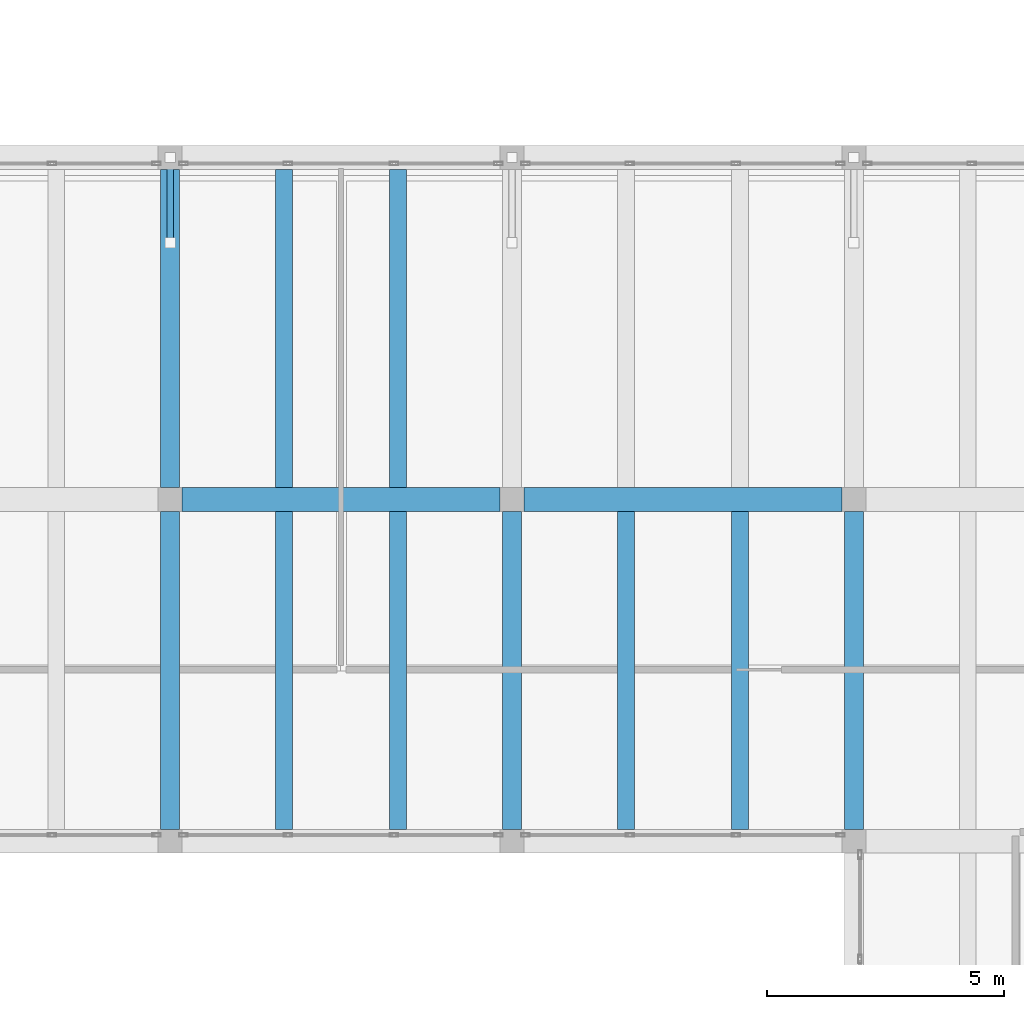
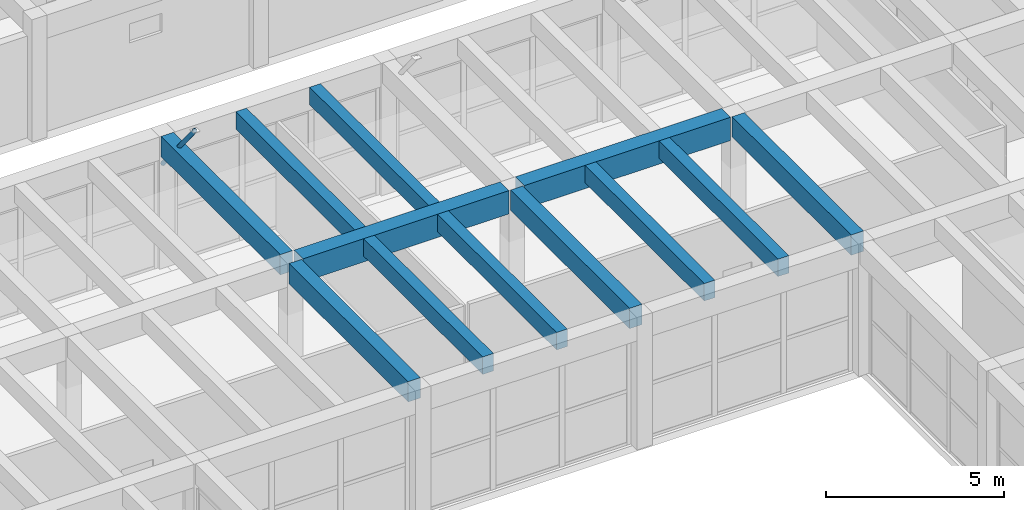
# One storey, part 93 of 153: 12 beams, 1 member.
"""IFC4 building model written with IfcOpenShell, lengths in metres."""

from ifc_helpers import new_model, si_unit, direction, frame, origin, origin_2d, place, context, subcontext, project, spatial, rectangle, hollow_circle, extrude, material, material_profile, profile_set, type_object, element, save


model = new_model("IFC4")

# Units and contexts
model_context = context("Model", 3, precision=1e-05, world=origin(), true_north=direction((0.0, 1.0)))
body_context = subcontext(model_context, "Body", "Model", "MODEL_VIEW")
ifc_project = project(units=[si_unit("LENGTHUNIT", "METRE"), si_unit("AREAUNIT", "SQUARE_METRE"), si_unit("VOLUMEUNIT", "CUBIC_METRE"), si_unit("PLANEANGLEUNIT", "RADIAN"), si_unit("MASSUNIT", "GRAM", prefix="KILO")], contexts=[model_context])

# Site, building, storey
site_placement = place(None, origin())
site = spatial("IfcSite", under=ifc_project, at=site_placement, CompositionType="ELEMENT")
building_placement = place(site_placement, origin())
building = spatial("IfcBuilding", under=site, at=building_placement, Name="Bramvelor Terrace Health Centre", CompositionType="ELEMENT")
storey_placement = place(building_placement, frame((0.0, 0.0, 4.800048828125)))
storey = spatial("IfcBuildingStorey", under=building, at=storey_placement, Name="L02", CompositionType="ELEMENT", Elevation=4.800048828125)

# Beams
ifc_material_1 = material(Name="Concrete C40/50", Category="concrete")
ifc_material_profile_1 = material_profile(ifc_material_1, rectangle(XDim=0.39990234375, YDim=0.699951171875, at=origin_2d()), Name="RC 400x700")
ifc_profile_set_1 = profile_set([ifc_material_profile_1], Name="Concrete C40/50")
beam_type_1 = type_object("IfcBeamType", Name="BM-RC-G700", PredefinedType="BEAM", material=ifc_profile_set_1)
for number, where, z_axis, x_axis, name in (
    (1, (64.800048828125, 65.050048828125, 4.199951171875), (0.0, 1.0, 0.0), (-1.0, 0.0, 0.0), "L02 Floor Girder"),
    (2, (64.800048828125, 72.25, 4.199951171875), (0.0, 1.0, 0.0), (-1.0, 0.0, 0.0), "L02 Floor Girder"),
    (3, (72.0, 65.050048828125, 4.199951171875), (0.0, 1.0, 0.0), (-1.0, 0.0, 0.0), "L02 Floor Girder"),
    (4, (79.199951171875, 65.050048828125, 4.199951171875), (0.0, 1.0, 0.0), (-1.0, 0.0, 0.0), "L02 Floor Girder"),
):
    element("IfcBeam", number, at=place(storey_placement, frame(where, z_axis=z_axis, x_axis=x_axis)), inside=storey, type_object=beam_type_1, Name=name, PredefinedType="BEAM", context=body_context, shape_type="SweptSolid", body=[
        extrude(rectangle(XDim=0.39990234375, YDim=0.699951171875, at=origin_2d()), origin(), (0.0, 0.0, 1.0), 6.699951171875),
    ])
ifc_material_2 = material(Name="Concrete C40/50", Category="concrete")
ifc_material_profile_2 = material_profile(ifc_material_2, rectangle(XDim=0.5, YDim=0.800048828125, at=origin_2d()), Name="RC 500x800")
ifc_profile_set_2 = profile_set([ifc_material_profile_2], Name="Concrete C40/50")
beam_type_2 = type_object("IfcBeamType", Name="BM-RC-G800", PredefinedType="BEAM", material=ifc_profile_set_2)
for number, where, z_axis, x_axis, name in (
    (5, (65.050048828125, 72.0, 4.14990234375), (1.0, 0.0, 0.0), (0.0, 1.0, 0.0), "L02 Floor Girder"),
    (6, (72.25, 72.0, 4.14990234375), (1.0, 0.0, 0.0), (0.0, 1.0, 0.0), "L02 Floor Girder"),
):
    element("IfcBeam", number, at=place(storey_placement, frame(where, z_axis=z_axis, x_axis=x_axis)), inside=storey, type_object=beam_type_2, Name=name, PredefinedType="BEAM", context=body_context, shape_type="SweptSolid", body=[
        extrude(rectangle(XDim=0.5, YDim=0.800048828125, at=origin_2d()), origin(), (0.0, 0.0, 1.0), 6.699951171875),
    ])
ifc_material_3 = material(Name="Concrete C40/50", Category="concrete")
ifc_material_profile_3 = material_profile(ifc_material_3, rectangle(XDim=0.35009765625, YDim=0.60009765625, at=origin_2d()), Name="RC 350x600")
ifc_profile_set_3 = profile_set([ifc_material_profile_3], Name="Concrete C40/50")
beam_type_3 = type_object("IfcBeamType", Name="BM-RC-J600", PredefinedType="JOIST", material=ifc_profile_set_3)
for number, where, z_axis, x_axis, name in (
    (7, (67.199951171875, 65.050048828125, 4.25), (0.0, 1.0, 0.0), (-1.0, 0.0, 0.0), "L02 Secondary Floor Joist"),
    (8, (69.60009765625, 65.050048828125, 4.25), (0.0, 1.0, 0.0), (-1.0, 0.0, 0.0), "L02 Secondary Floor Joist"),
    (9, (67.199951171875, 72.25, 4.25), (0.0, 1.0, 0.0), (-1.0, 0.0, 0.0), "L02 Secondary Floor Joist"),
    (10, (69.60009765625, 72.25, 4.25), (0.0, 1.0, 0.0), (-1.0, 0.0, 0.0), "L02 Secondary Floor Joist"),
    (11, (74.39990234375, 65.050048828125, 4.25), (0.0, 1.0, 0.0), (-1.0, 0.0, 0.0), "L02 Secondary Floor Joist"),
    (12, (76.800048828125, 65.050048828125, 4.25), (0.0, 1.0, 0.0), (-1.0, 0.0, 0.0), "L02 Secondary Floor Joist"),
):
    element("IfcBeam", number, at=place(storey_placement, frame(where, z_axis=z_axis, x_axis=x_axis)), inside=storey, type_object=beam_type_3, Name=name, PredefinedType="JOIST", context=body_context, shape_type="SweptSolid", body=[
        extrude(rectangle(XDim=0.35009765625, YDim=0.60009765625, at=origin_2d()), origin(), (0.0, 0.0, 1.0), 6.699951171875),
    ])

# Member
ifc_material_4 = material(Name="Steel S355J2", Category="steel")
ifc_material_profile_4 = material_profile(ifc_material_4, hollow_circle(Radius=0.06982421875, WallThickness=0.0048828125, at=origin_2d()), Name="CHS 139.7x5.0")
ifc_profile_set_4 = profile_set([ifc_material_profile_4], Name="Steel S355J2")
member_type = type_object("IfcMemberType", Name="MEM-STL-CHS139", PredefinedType="STRUT", material=ifc_profile_set_4)
member_placement = place(storey_placement, frame((64.800048828125, 79.199951171875, 3.39990234375), z_axis=(0.0, -0.62952484871, 0.776980350367), x_axis=(1.0, 0.0, 0.0)))
element("IfcMember", 13, at=member_placement, inside=storey, type_object=member_type, Name="Waiting Hall Storm-Eave Knee Strut N4", PredefinedType="STRUT", context=body_context, shape_type="SweptSolid", body=[
    extrude(hollow_circle(Radius=0.06982421875, WallThickness=0.0048828125, at=origin_2d()), origin(), (0.0, 0.0, 1.0), 2.859375),
])

save(model, "model.ifc")
